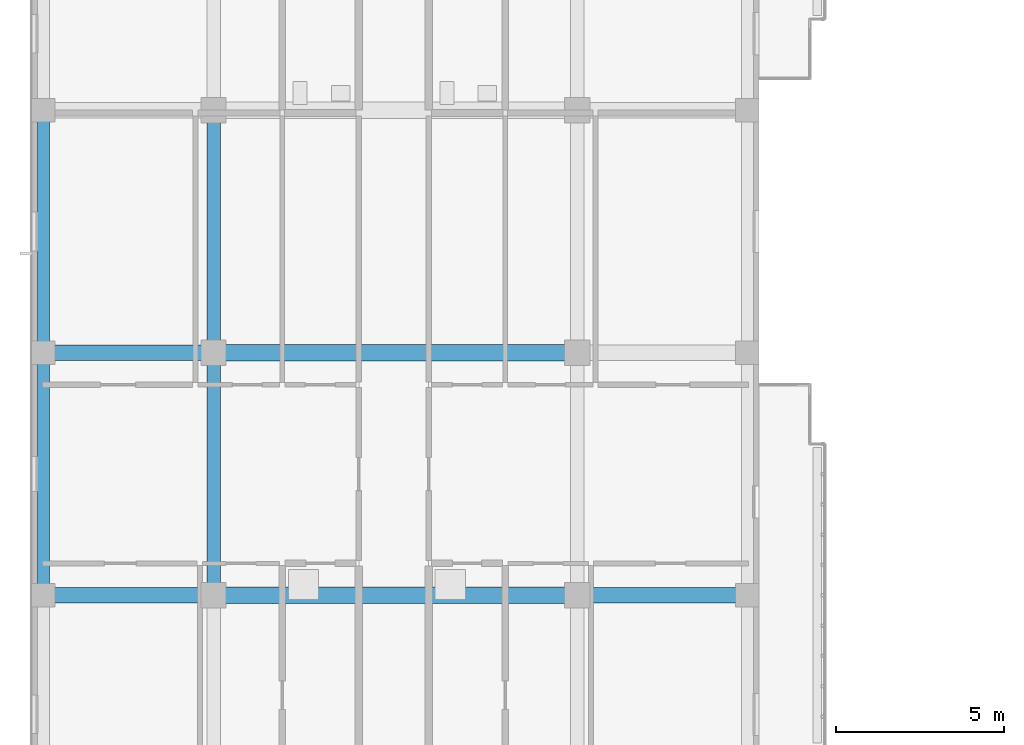
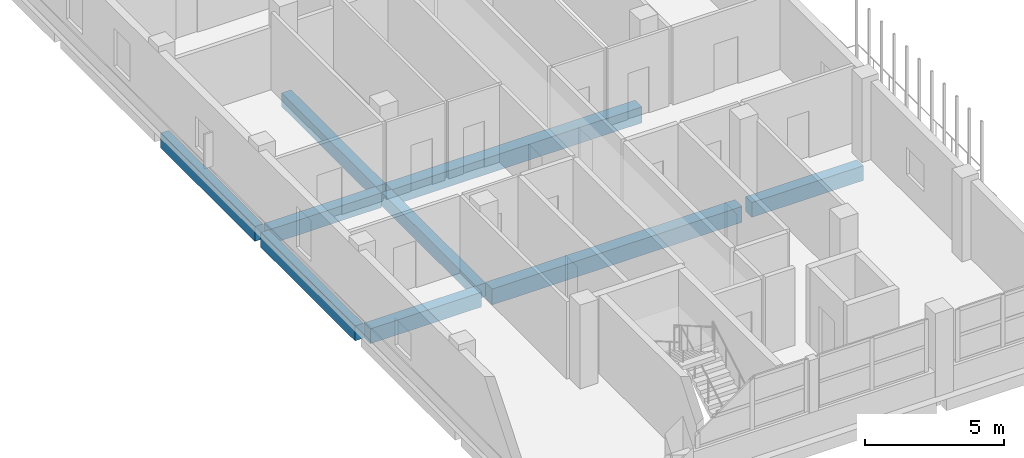
# One storey, part 15 of 73: 9 beams.
"""IFC4 building model written with IfcOpenShell, lengths in metres."""

from ifc_helpers import new_model, si_unit, derived_unit, direction, frame, origin, origin_2d, place, context, subcontext, project, spatial, rectangle, extrude, material, material_profile, profile_set, type_object, element, save


model = new_model("IFC4")

# Units and contexts
model_context = context("Model", 3, precision=1e-05, world=origin(), true_north=direction((0.0, 1.0)))
body_context = subcontext(model_context, "Body", "Model", "MODEL_VIEW")
ifc_project = project(units=[si_unit("LENGTHUNIT", "METRE"), si_unit("AREAUNIT", "SQUARE_METRE"), si_unit("VOLUMEUNIT", "CUBIC_METRE"), si_unit("PLANEANGLEUNIT", "RADIAN"), si_unit("MASSUNIT", "GRAM", prefix="KILO"), derived_unit("THERMALTRANSMITTANCEUNIT", [(si_unit("MASSUNIT", "GRAM", prefix="KILO"), 1), (si_unit("TIMEUNIT", "SECOND"), -3), (si_unit("THERMODYNAMICTEMPERATUREUNIT", "KELVIN"), -1)])], contexts=[model_context])

# Site, building, storey
site_placement = place(None, origin())
site = spatial("IfcSite", under=ifc_project, at=site_placement, CompositionType="ELEMENT")
building_placement = place(site_placement, origin())
building = spatial("IfcBuilding", under=site, at=building_placement, Name="Ochrekiln Boulevard Commons", CompositionType="ELEMENT")
storey_placement = place(building_placement, frame((0.0, 0.0, 4.89990234375)))
storey = spatial("IfcBuildingStorey", under=building, at=storey_placement, Name="L01", CompositionType="ELEMENT", Elevation=4.89990234375)

# Beams
ifc_material_1 = material(Name="Concrete C35/45", Category="concrete")
ifc_material_profile_1 = material_profile(ifc_material_1, rectangle(XDim=0.39990234375, YDim=0.60009765625, at=origin_2d()), Name="RC-BM-400x600")
ifc_profile_set_1 = profile_set([ifc_material_profile_1], Name="Concrete C35/45")
beam_type_1 = type_object("IfcBeamType", Name="BM-RC-400x600", PredefinedType="BEAM", material=ifc_profile_set_1)
for number, where, z_axis, x_axis, name in (
    (1, (5.39990234375, 83.010009765625, -0.559814453125), (0.0, 1.0, 0.0), (-1.0, 0.0, 0.0), "Block A L01 Beam B-4060 Y32"),
    (2, (5.39990234375, 90.2099609375, -0.559814453125), (0.0, 1.0, 0.0), (-1.0, 0.0, 0.0), "Block A L01 Beam B-4060 Y33"),
):
    element("IfcBeam", number, at=place(storey_placement, frame(where, z_axis=z_axis, x_axis=x_axis)), inside=storey, type_object=beam_type_1, Name=name, PredefinedType="BEAM", context=body_context, shape_type="SweptSolid", body=[
        extrude(rectangle(XDim=0.39990234375, YDim=0.60009765625, at=origin_2d()), origin(), (0.0, 0.0, 1.0), 6.780029296875),
    ])
ifc_material_profile_2 = material_profile(ifc_material_1, rectangle(XDim=0.449951171875, YDim=0.64990234375, at=origin_2d()), Name="RC-BM-450x650")
ifc_profile_set_2 = profile_set([ifc_material_profile_2], Name="Concrete C35/45")
beam_type_2 = type_object("IfcBeamType", Name="BM-RC-450x650", PredefinedType="BEAM", material=ifc_profile_set_2)
beam_1_placement = place(storey_placement, frame((0.56005859375, 82.800048828125, -0.5849609375), z_axis=(1.0, 0.0, 0.0), x_axis=(0.0, 1.0, 0.0)))
element("IfcBeam", 3, at=beam_1_placement, inside=storey, type_object=beam_type_2, Name="Block A L01 Beam B-4565 X6", PredefinedType="BEAM", context=body_context, shape_type="SweptSolid", body=[
    extrude(rectangle(XDim=0.449951171875, YDim=0.64990234375, at=origin_2d()), origin(), (0.0, 0.0, 1.0), 4.6298828125),
])
beam_2_placement = place(storey_placement, frame((16.409912109375, 82.800048828125, -0.5849609375), z_axis=(1.0, 0.0, 0.0), x_axis=(0.0, 1.0, 0.0)))
element("IfcBeam", 4, at=beam_2_placement, inside=storey, type_object=beam_type_2, Name="Block A L01 Beam B-4565 X8", PredefinedType="BEAM", context=body_context, shape_type="SweptSolid", body=[
    extrude(rectangle(XDim=0.449951171875, YDim=0.64990234375, at=origin_2d()), origin(), (0.0, 0.0, 1.0), 4.630126953125),
])
beam_3_placement = place(storey_placement, frame((0.56005859375, 90.0, -0.5849609375), z_axis=(1.0, 0.0, 0.0), x_axis=(0.0, 1.0, 0.0)))
element("IfcBeam", 5, at=beam_3_placement, inside=storey, type_object=beam_type_2, Name="Block A L01 Beam B-4565 X9", PredefinedType="BEAM", context=body_context, shape_type="SweptSolid", body=[
    extrude(rectangle(XDim=0.449951171875, YDim=0.64990234375, at=origin_2d()), origin(), (0.0, 0.0, 1.0), 4.6298828125),
])
ifc_material_2 = material(Name="Concrete C40/50", Category="concrete")
ifc_material_profile_3 = material_profile(ifc_material_2, rectangle(XDim=0.5, YDim=0.699951171875, at=origin_2d()), Name="RC-BM-500x700")
ifc_profile_set_3 = profile_set([ifc_material_profile_3], Name="Concrete C40/50")
beam_type_3 = type_object("IfcBeamType", Name="BM-RC-500x700", PredefinedType="BEAM", material=ifc_profile_set_3)
for number, where, z_axis, x_axis, name in (
    (6, (5.610107421875, 82.800048828125, -0.60986328125), (1.0, 0.0, 0.0), (0.0, 1.0, 0.0), "Block A L01 Beam B-5070 X7"),
    (7, (5.610107421875, 90.0, -0.60986328125), (1.0, 0.0, 0.0), (0.0, 1.0, 0.0), "Block A L01 Beam B-5070 X10"),
):
    element("IfcBeam", number, at=place(storey_placement, frame(where, z_axis=z_axis, x_axis=x_axis)), inside=storey, type_object=beam_type_3, Name=name, PredefinedType="BEAM", context=body_context, shape_type="SweptSolid", body=[
        extrude(rectangle(XDim=0.5, YDim=0.699951171875, at=origin_2d()), origin(), (0.0, 0.0, 1.0), 10.3798828125),
    ])
ifc_material_profile_4 = material_profile(ifc_material_2, rectangle(XDim=0.35009765625, YDim=0.64990234375, at=origin_2d()), Name="RC-SPN-350x650")
ifc_profile_set_4 = profile_set([ifc_material_profile_4], Name="Concrete C40/50")
beam_type_4 = type_object("IfcBeamType", Name="SPN-RC-350x650", PredefinedType="SPANDREL", material=ifc_profile_set_4)
for number, where, z_axis, x_axis, name in (
    (8, (0.35009765625, 83.010009765625, -0.5849609375), (0.0, 1.0, 0.0), (-1.0, 0.0, 0.0), "Block A L01 Beam SP-3565 Y25"),
    (9, (0.35009765625, 90.2099609375, -0.5849609375), (0.0, 1.0, 0.0), (-1.0, 0.0, 0.0), "Block A L01 Beam SP-3565 Y26"),
):
    element("IfcBeam", number, at=place(storey_placement, frame(where, z_axis=z_axis, x_axis=x_axis)), inside=storey, type_object=beam_type_4, Name=name, PredefinedType="SPANDREL", context=body_context, shape_type="SweptSolid", body=[
        extrude(rectangle(XDim=0.35009765625, YDim=0.64990234375, at=origin_2d()), origin(), (0.0, 0.0, 1.0), 6.780029296875),
    ])

save(model, "model.ifc")
